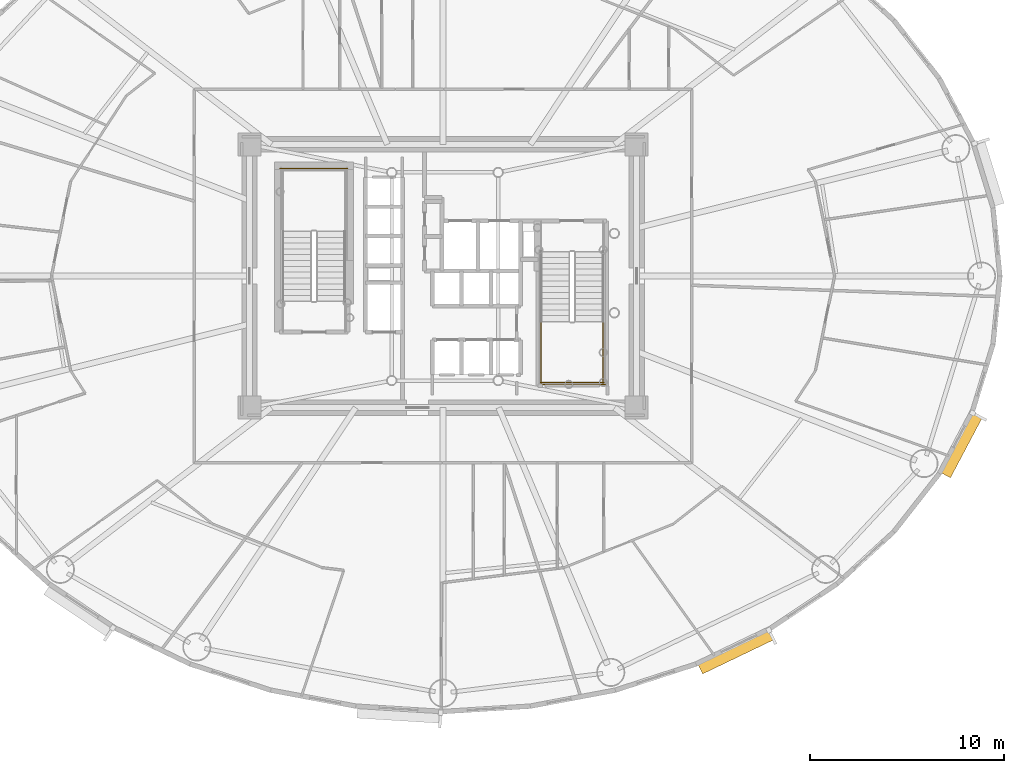
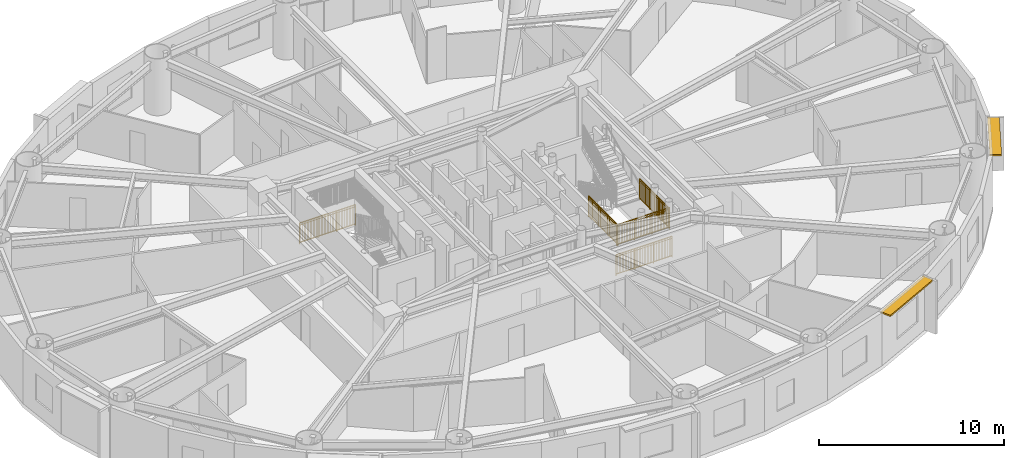
# One storey, part 14 of 16: 5 railings, 2 shading devices.
"""IFC4 building model written with IfcOpenShell, lengths in metres."""

from ifc_helpers import new_model, si_unit, direction, frame, origin, origin_2d, place, context, subcontext, project, spatial, rectangle, extrude, source, transform, mapped, material, layer, layer_set, type_object, element, save


model = new_model("IFC4")

# Units and contexts
model_context = context("Model", 3, precision=1e-05, world=origin(), true_north=direction((0.0, 1.0)))
body_context = subcontext(model_context, "Body", "Model", "MODEL_VIEW")
ifc_project = project(units=[si_unit("LENGTHUNIT", "METRE"), si_unit("AREAUNIT", "SQUARE_METRE"), si_unit("VOLUMEUNIT", "CUBIC_METRE"), si_unit("PLANEANGLEUNIT", "RADIAN"), si_unit("MASSUNIT", "GRAM", prefix="KILO")], contexts=[model_context])

# Site, building, storey
site_placement = place(None, origin())
site = spatial("IfcSite", under=ifc_project, at=site_placement, CompositionType="ELEMENT")
building_placement = place(site_placement, origin())
building = spatial("IfcBuilding", under=site, at=building_placement, Name="Linh Dai School and Residence Tower", CompositionType="ELEMENT")
storey_placement = place(building_placement, frame((0.0, 0.0, 108.449951171875)))
storey = spatial("IfcBuildingStorey", under=building, at=storey_placement, Name="L25", CompositionType="ELEMENT", Elevation=108.449951171875)

# Shading devices
ifc_material_1 = material(Name="Terracotta Ceramic Sunshade", Category="masonry")
ifc_layer = layer(ifc_material_1, 0.10009765625)
ifc_layer_set = layer_set([ifc_layer], Name="Terracotta Ceramic Sunshade")
shading_device_type = type_object("IfcShadingDeviceType", Name="SHD-TC-650", PredefinedType="USERDEFINED", material=ifc_layer_set)
shared_shape_1 = source(origin(), body_context, "Body", "SweptSolid", [
    extrude(rectangle(XDim=4.1005859375, YDim=0.64990234375, at=origin_2d()), origin(), (0.0, 0.0, 1.0), 0.10009765625),
])
shading_device_1_placement = place(storey_placement, frame((51.122802734375, 7.61962890625, 3.3798828125), z_axis=(0.0, 0.0, 1.0), x_axis=(-0.901577518371, -0.432617589064, 0.0)))
element("IfcShadingDevice", 1, at=shading_device_1_placement, inside=storey, type_object=shading_device_type, Name="L25 Terracotta Horizontal Sunshade Band 34", ObjectType="SUNSHADE", PredefinedType="USERDEFINED", context=body_context, shape_type="MappedRepresentation", body=[
    mapped(shared_shape_1, transform((0.0, 0.0, 0.0), x_axis=(1.0, 0.0, 0.0), y_axis=(0.0, 1.0, 0.0), z_axis=(0.0, 0.0, 1.0), scale=1.0)),
])
shared_shape_2 = source(origin(), body_context, "Body", "SweptSolid", [
    extrude(rectangle(XDim=3.541015625, YDim=0.64990234375, at=origin_2d()), origin(), (0.0, 0.0, 1.0), 0.10009765625),
])
shading_device_2_placement = place(storey_placement, frame((62.759521484375, 18.291259765625, 3.3798828125), z_axis=(0.0, 0.0, 1.0), x_axis=(-0.467596217252, -0.883942180016, 0.0)))
element("IfcShadingDevice", 2, at=shading_device_2_placement, inside=storey, type_object=shading_device_type, Name="L25 Terracotta Horizontal Sunshade Band 38", ObjectType="SUNSHADE", PredefinedType="USERDEFINED", context=body_context, shape_type="MappedRepresentation", body=[
    mapped(shared_shape_2, transform((0.0, 0.0, 0.0), x_axis=(1.0, 0.0, 0.0), y_axis=(0.0, 1.0, 0.0), z_axis=(0.0, 0.0, 1.0), scale=1.0)),
])

# Railings
ifc_material_2 = material(Name="Structural Steel S355JR", Category="steel")
railing_type = type_object("IfcRailingType", Name="RL-ST-GUARD-1400", PredefinedType="GUARDRAIL", material=ifc_material_2)
shared_shape_3 = source(origin(), body_context, "Body", "SweptSolid", [
    extrude(rectangle(XDim=0.048095703125, YDim=0.048095703125, at=origin_2d()), frame((0.0, 0.0, 1.3759765625), z_axis=(-1.0, 0.0, 0.0), x_axis=(0.0, -1.0, 0.0)), (0.0, 0.0, 1.0), 3.5),
    extrude(rectangle(XDim=0.048095703125, YDim=0.048095703125, at=origin_2d()), frame((0.0, 0.0, 0.10009765625), z_axis=(-1.0, 0.0, 0.0), x_axis=(0.0, -1.0, 0.0)), (0.0, 0.0, 1.0), 3.5),
    extrude(rectangle(XDim=0.030029296875, YDim=0.030029296875, at=origin_2d()), frame((0.0, 0.0, 1.239990234375), z_axis=(-1.0, 0.0, 0.0), x_axis=(0.0, -1.0, 0.0)), (0.0, 0.0, 1.0), 3.5),
    extrude(rectangle(XDim=0.02001953125, YDim=0.02001953125, at=origin_2d()), frame((-0.09716796875, 0.0, 0.10009765625)), (0.0, 0.0, 1.0), 1.251708984375),
    extrude(rectangle(XDim=0.02001953125, YDim=0.02001953125, at=origin_2d()), frame((-0.1943359375, 0.0, 0.10009765625)), (0.0, 0.0, 1.0), 1.251708984375),
    extrude(rectangle(XDim=0.02001953125, YDim=0.02001953125, at=origin_2d()), frame((-0.291748046875, 0.0, 0.10009765625)), (0.0, 0.0, 1.0), 1.251708984375),
    extrude(rectangle(XDim=0.02001953125, YDim=0.02001953125, at=origin_2d()), frame((-0.388916015625, 0.0, 0.10009765625)), (0.0, 0.0, 1.0), 1.251708984375),
    extrude(rectangle(XDim=0.02001953125, YDim=0.02001953125, at=origin_2d()), frame((-0.486083984375, 0.0, 0.10009765625)), (0.0, 0.0, 1.0), 1.251708984375),
    extrude(rectangle(XDim=0.02001953125, YDim=0.02001953125, at=origin_2d()), frame((-0.583251953125, 0.0, 0.10009765625)), (0.0, 0.0, 1.0), 1.251708984375),
    extrude(rectangle(XDim=0.02001953125, YDim=0.02001953125, at=origin_2d()), frame((-0.6806640625, 0.0, 0.10009765625)), (0.0, 0.0, 1.0), 1.251708984375),
    extrude(rectangle(XDim=0.02001953125, YDim=0.02001953125, at=origin_2d()), frame((-0.77783203125, 0.0, 0.10009765625)), (0.0, 0.0, 1.0), 1.251708984375),
    extrude(rectangle(XDim=0.02001953125, YDim=0.02001953125, at=origin_2d()), frame((-0.875, 0.0, 0.10009765625)), (0.0, 0.0, 1.0), 1.251708984375),
    extrude(rectangle(XDim=0.02001953125, YDim=0.02001953125, at=origin_2d()), frame((-0.97216796875, 0.0, 0.10009765625)), (0.0, 0.0, 1.0), 1.251708984375),
    extrude(rectangle(XDim=0.02001953125, YDim=0.02001953125, at=origin_2d()), frame((-1.0693359375, 0.0, 0.10009765625)), (0.0, 0.0, 1.0), 1.251708984375),
    extrude(rectangle(XDim=0.02001953125, YDim=0.02001953125, at=origin_2d()), frame((-1.263916015625, 0.0, 0.10009765625)), (0.0, 0.0, 1.0), 1.251708984375),
    extrude(rectangle(XDim=0.02001953125, YDim=0.02001953125, at=origin_2d()), frame((-1.361083984375, 0.0, 0.10009765625)), (0.0, 0.0, 1.0), 1.251708984375),
    extrude(rectangle(XDim=0.02001953125, YDim=0.02001953125, at=origin_2d()), frame((-1.458251953125, 0.0, 0.10009765625)), (0.0, 0.0, 1.0), 1.251708984375),
    extrude(rectangle(XDim=0.02001953125, YDim=0.02001953125, at=origin_2d()), frame((-1.5556640625, 0.0, 0.10009765625)), (0.0, 0.0, 1.0), 1.251708984375),
    extrude(rectangle(XDim=0.02001953125, YDim=0.02001953125, at=origin_2d()), frame((-1.65283203125, 0.0, 0.10009765625)), (0.0, 0.0, 1.0), 1.251708984375),
    extrude(rectangle(XDim=0.02001953125, YDim=0.02001953125, at=origin_2d()), frame((-1.75, 0.0, 0.10009765625)), (0.0, 0.0, 1.0), 1.251708984375),
    extrude(rectangle(XDim=0.02001953125, YDim=0.02001953125, at=origin_2d()), frame((-1.84716796875, 0.0, 0.10009765625)), (0.0, 0.0, 1.0), 1.251708984375),
    extrude(rectangle(XDim=0.02001953125, YDim=0.02001953125, at=origin_2d()), frame((-1.9443359375, 0.0, 0.10009765625)), (0.0, 0.0, 1.0), 1.251708984375),
    extrude(rectangle(XDim=0.02001953125, YDim=0.02001953125, at=origin_2d()), frame((-2.041748046875, 0.0, 0.10009765625)), (0.0, 0.0, 1.0), 1.251708984375),
    extrude(rectangle(XDim=0.02001953125, YDim=0.02001953125, at=origin_2d()), frame((-2.138916015625, 0.0, 0.10009765625)), (0.0, 0.0, 1.0), 1.251708984375),
    extrude(rectangle(XDim=0.02001953125, YDim=0.02001953125, at=origin_2d()), frame((-2.236083984375, 0.0, 0.10009765625)), (0.0, 0.0, 1.0), 1.251708984375),
    extrude(rectangle(XDim=0.02001953125, YDim=0.02001953125, at=origin_2d()), frame((-2.4306640625, 0.0, 0.10009765625)), (0.0, 0.0, 1.0), 1.251708984375),
    extrude(rectangle(XDim=0.02001953125, YDim=0.02001953125, at=origin_2d()), frame((-2.52783203125, 0.0, 0.10009765625)), (0.0, 0.0, 1.0), 1.251708984375),
    extrude(rectangle(XDim=0.02001953125, YDim=0.02001953125, at=origin_2d()), frame((-2.625, 0.0, 0.10009765625)), (0.0, 0.0, 1.0), 1.251708984375),
    extrude(rectangle(XDim=0.02001953125, YDim=0.02001953125, at=origin_2d()), frame((-2.72216796875, 0.0, 0.10009765625)), (0.0, 0.0, 1.0), 1.251708984375),
    extrude(rectangle(XDim=0.02001953125, YDim=0.02001953125, at=origin_2d()), frame((-2.8193359375, 0.0, 0.10009765625)), (0.0, 0.0, 1.0), 1.251708984375),
    extrude(rectangle(XDim=0.02001953125, YDim=0.02001953125, at=origin_2d()), frame((-2.916748046875, 0.0, 0.10009765625)), (0.0, 0.0, 1.0), 1.251708984375),
    extrude(rectangle(XDim=0.02001953125, YDim=0.02001953125, at=origin_2d()), frame((-3.013916015625, 0.0, 0.10009765625)), (0.0, 0.0, 1.0), 1.251708984375),
    extrude(rectangle(XDim=0.02001953125, YDim=0.02001953125, at=origin_2d()), frame((-3.111083984375, 0.0, 0.10009765625)), (0.0, 0.0, 1.0), 1.251708984375),
    extrude(rectangle(XDim=0.02001953125, YDim=0.02001953125, at=origin_2d()), frame((-3.208251953125, 0.0, 0.10009765625)), (0.0, 0.0, 1.0), 1.251708984375),
    extrude(rectangle(XDim=0.02001953125, YDim=0.02001953125, at=origin_2d()), frame((-3.3056640625, 0.0, 0.10009765625)), (0.0, 0.0, 1.0), 1.251708984375),
    extrude(rectangle(XDim=0.02001953125, YDim=0.02001953125, at=origin_2d()), frame((-3.40283203125, 0.0, 0.10009765625)), (0.0, 0.0, 1.0), 1.251708984375),
    extrude(rectangle(XDim=0.0419921875, YDim=0.0419921875, at=origin_2d()), origin(), (0.0, 0.0, 1.0), 1.3759765625),
    extrude(rectangle(XDim=0.0419921875, YDim=0.0419921875, at=origin_2d()), frame((-1.166748046875, 0.0, 0.0)), (0.0, 0.0, 1.0), 1.3759765625),
    extrude(rectangle(XDim=0.0419921875, YDim=0.0419921875, at=origin_2d()), frame((-2.333251953125, 0.0, 0.0)), (0.0, 0.0, 1.0), 1.3759765625),
    extrude(rectangle(XDim=0.0419921875, YDim=0.0419921875, at=origin_2d()), frame((-3.5, 0.0, 0.0)), (0.0, 0.0, 1.0), 1.3759765625),
])
railing_1_placement = place(storey_placement, frame((31.080078125, 32.550048828125, 0.0)))
element("IfcRailing", 3, at=railing_1_placement, inside=storey, type_object=railing_type, Name="L25 ST1 stair guard 12", PredefinedType="GUARDRAIL", context=body_context, shape_type="MappedRepresentation", body=[
    mapped(shared_shape_3, transform((0.0, 0.0, 0.0), x_axis=(1.0, 0.0, 0.0), y_axis=(0.0, 1.0, 0.0), z_axis=(0.0, 0.0, 1.0), scale=1.0)),
])
shared_shape_4 = source(origin(), body_context, "Body", "SweptSolid", [
    extrude(rectangle(XDim=0.048095703125, YDim=0.048095703125, at=origin_2d()), frame((0.0, 0.0, 1.3759765625), z_axis=(1.0, 0.0, 0.0), x_axis=(0.0, 1.0, 0.0)), (0.0, 0.0, 1.0), 3.300048828125),
    extrude(rectangle(XDim=0.048095703125, YDim=0.048095703125, at=origin_2d()), frame((0.0, 0.0, 0.10009765625), z_axis=(1.0, 0.0, 0.0), x_axis=(0.0, 1.0, 0.0)), (0.0, 0.0, 1.0), 3.300048828125),
    extrude(rectangle(XDim=0.030029296875, YDim=0.030029296875, at=origin_2d()), frame((0.0, 0.0, 1.239990234375), z_axis=(1.0, 0.0, 0.0), x_axis=(0.0, 1.0, 0.0)), (0.0, 0.0, 1.0), 3.300048828125),
    extrude(rectangle(XDim=0.02001953125, YDim=0.02001953125, at=origin_2d()), frame((0.09716796875, 0.0, 0.10009765625)), (0.0, 0.0, 1.0), 1.251708984375),
    extrude(rectangle(XDim=0.02001953125, YDim=0.02001953125, at=origin_2d()), frame((0.194091796875, 0.0, 0.10009765625)), (0.0, 0.0, 1.0), 1.251708984375),
    extrude(rectangle(XDim=0.02001953125, YDim=0.02001953125, at=origin_2d()), frame((0.291259765625, 0.0, 0.10009765625)), (0.0, 0.0, 1.0), 1.251708984375),
    extrude(rectangle(XDim=0.02001953125, YDim=0.02001953125, at=origin_2d()), frame((0.38818359375, 0.0, 0.10009765625)), (0.0, 0.0, 1.0), 1.251708984375),
    extrude(rectangle(XDim=0.02001953125, YDim=0.02001953125, at=origin_2d()), frame((0.4853515625, 0.0, 0.10009765625)), (0.0, 0.0, 1.0), 1.251708984375),
    extrude(rectangle(XDim=0.02001953125, YDim=0.02001953125, at=origin_2d()), frame((0.582275390625, 0.0, 0.10009765625)), (0.0, 0.0, 1.0), 1.251708984375),
    extrude(rectangle(XDim=0.02001953125, YDim=0.02001953125, at=origin_2d()), frame((0.679443359375, 0.0, 0.10009765625)), (0.0, 0.0, 1.0), 1.251708984375),
    extrude(rectangle(XDim=0.02001953125, YDim=0.02001953125, at=origin_2d()), frame((0.7763671875, 0.0, 0.10009765625)), (0.0, 0.0, 1.0), 1.251708984375),
    extrude(rectangle(XDim=0.02001953125, YDim=0.02001953125, at=origin_2d()), frame((0.87353515625, 0.0, 0.10009765625)), (0.0, 0.0, 1.0), 1.251708984375),
    extrude(rectangle(XDim=0.02001953125, YDim=0.02001953125, at=origin_2d()), frame((0.970703125, 0.0, 0.10009765625)), (0.0, 0.0, 1.0), 1.251708984375),
    extrude(rectangle(XDim=0.02001953125, YDim=0.02001953125, at=origin_2d()), frame((1.164794921875, 0.0, 0.10009765625)), (0.0, 0.0, 1.0), 1.251708984375),
    extrude(rectangle(XDim=0.02001953125, YDim=0.02001953125, at=origin_2d()), frame((1.26171875, 0.0, 0.10009765625)), (0.0, 0.0, 1.0), 1.251708984375),
    extrude(rectangle(XDim=0.02001953125, YDim=0.02001953125, at=origin_2d()), frame((1.35888671875, 0.0, 0.10009765625)), (0.0, 0.0, 1.0), 1.251708984375),
    extrude(rectangle(XDim=0.02001953125, YDim=0.02001953125, at=origin_2d()), frame((1.455810546875, 0.0, 0.10009765625)), (0.0, 0.0, 1.0), 1.251708984375),
    extrude(rectangle(XDim=0.02001953125, YDim=0.02001953125, at=origin_2d()), frame((1.552978515625, 0.0, 0.10009765625)), (0.0, 0.0, 1.0), 1.251708984375),
    extrude(rectangle(XDim=0.02001953125, YDim=0.02001953125, at=origin_2d()), frame((1.64990234375, 0.0, 0.10009765625)), (0.0, 0.0, 1.0), 1.251708984375),
    extrude(rectangle(XDim=0.02001953125, YDim=0.02001953125, at=origin_2d()), frame((1.7470703125, 0.0, 0.10009765625)), (0.0, 0.0, 1.0), 1.251708984375),
    extrude(rectangle(XDim=0.02001953125, YDim=0.02001953125, at=origin_2d()), frame((1.84423828125, 0.0, 0.10009765625)), (0.0, 0.0, 1.0), 1.251708984375),
    extrude(rectangle(XDim=0.02001953125, YDim=0.02001953125, at=origin_2d()), frame((1.941162109375, 0.0, 0.10009765625)), (0.0, 0.0, 1.0), 1.251708984375),
    extrude(rectangle(XDim=0.02001953125, YDim=0.02001953125, at=origin_2d()), frame((2.038330078125, 0.0, 0.10009765625)), (0.0, 0.0, 1.0), 1.251708984375),
    extrude(rectangle(XDim=0.02001953125, YDim=0.02001953125, at=origin_2d()), frame((2.13525390625, 0.0, 0.10009765625)), (0.0, 0.0, 1.0), 1.251708984375),
    extrude(rectangle(XDim=0.02001953125, YDim=0.02001953125, at=origin_2d()), frame((2.329345703125, 0.0, 0.10009765625)), (0.0, 0.0, 1.0), 1.251708984375),
    extrude(rectangle(XDim=0.02001953125, YDim=0.02001953125, at=origin_2d()), frame((2.426513671875, 0.0, 0.10009765625)), (0.0, 0.0, 1.0), 1.251708984375),
    extrude(rectangle(XDim=0.02001953125, YDim=0.02001953125, at=origin_2d()), frame((2.523681640625, 0.0, 0.10009765625)), (0.0, 0.0, 1.0), 1.251708984375),
    extrude(rectangle(XDim=0.02001953125, YDim=0.02001953125, at=origin_2d()), frame((2.62060546875, 0.0, 0.10009765625)), (0.0, 0.0, 1.0), 1.251708984375),
    extrude(rectangle(XDim=0.02001953125, YDim=0.02001953125, at=origin_2d()), frame((2.7177734375, 0.0, 0.10009765625)), (0.0, 0.0, 1.0), 1.251708984375),
    extrude(rectangle(XDim=0.02001953125, YDim=0.02001953125, at=origin_2d()), frame((2.814697265625, 0.0, 0.10009765625)), (0.0, 0.0, 1.0), 1.251708984375),
    extrude(rectangle(XDim=0.02001953125, YDim=0.02001953125, at=origin_2d()), frame((2.911865234375, 0.0, 0.10009765625)), (0.0, 0.0, 1.0), 1.251708984375),
    extrude(rectangle(XDim=0.02001953125, YDim=0.02001953125, at=origin_2d()), frame((3.0087890625, 0.0, 0.10009765625)), (0.0, 0.0, 1.0), 1.251708984375),
    extrude(rectangle(XDim=0.02001953125, YDim=0.02001953125, at=origin_2d()), frame((3.10595703125, 0.0, 0.10009765625)), (0.0, 0.0, 1.0), 1.251708984375),
    extrude(rectangle(XDim=0.02001953125, YDim=0.02001953125, at=origin_2d()), frame((3.202880859375, 0.0, 0.10009765625)), (0.0, 0.0, 1.0), 1.251708984375),
    extrude(rectangle(XDim=0.0419921875, YDim=0.0419921875, at=origin_2d()), origin(), (0.0, 0.0, 1.0), 1.3759765625),
    extrude(rectangle(XDim=0.0419921875, YDim=0.0419921875, at=origin_2d()), frame((1.10009765625, 0.0, 0.0)), (0.0, 0.0, 1.0), 1.3759765625),
    extrude(rectangle(XDim=0.0419921875, YDim=0.0419921875, at=origin_2d()), frame((2.199951171875, 0.0, 0.0)), (0.0, 0.0, 1.0), 1.3759765625),
    extrude(rectangle(XDim=0.0419921875, YDim=0.0419921875, at=origin_2d()), frame((3.300048828125, 0.0, 0.0)), (0.0, 0.0, 1.0), 1.3759765625),
])
railing_2_placement = place(storey_placement, frame((41.02001953125, 21.5, 1.875)))
element("IfcRailing", 4, at=railing_2_placement, inside=storey, type_object=railing_type, Name="L25 ST2 stair guard 5", PredefinedType="GUARDRAIL", context=body_context, shape_type="MappedRepresentation", body=[
    mapped(shared_shape_4, transform((0.0, 0.0, 0.0), x_axis=(1.0, 0.0, 0.0), y_axis=(0.0, 1.0, 0.0), z_axis=(0.0, 0.0, 1.0), scale=1.0)),
])
shared_shape_5 = source(origin(), body_context, "Body", "SweptSolid", [
    extrude(rectangle(XDim=0.048095703125, YDim=0.048095703125, at=origin_2d()), frame((0.0, 0.0, 1.3759765625), z_axis=(1.0, 0.0, 0.0), x_axis=(0.0, 1.0, 0.0)), (0.0, 0.0, 1.0), 3.5),
    extrude(rectangle(XDim=0.048095703125, YDim=0.048095703125, at=origin_2d()), frame((0.0, 0.0, 0.10009765625), z_axis=(1.0, 0.0, 0.0), x_axis=(0.0, 1.0, 0.0)), (0.0, 0.0, 1.0), 3.5),
    extrude(rectangle(XDim=0.030029296875, YDim=0.030029296875, at=origin_2d()), frame((0.0, 0.0, 1.239990234375), z_axis=(1.0, 0.0, 0.0), x_axis=(0.0, 1.0, 0.0)), (0.0, 0.0, 1.0), 3.5),
    extrude(rectangle(XDim=0.02001953125, YDim=0.02001953125, at=origin_2d()), frame((0.09716796875, 0.0, 0.10009765625)), (0.0, 0.0, 1.0), 1.251708984375),
    extrude(rectangle(XDim=0.02001953125, YDim=0.02001953125, at=origin_2d()), frame((0.1943359375, 0.0, 0.10009765625)), (0.0, 0.0, 1.0), 1.251708984375),
    extrude(rectangle(XDim=0.02001953125, YDim=0.02001953125, at=origin_2d()), frame((0.291748046875, 0.0, 0.10009765625)), (0.0, 0.0, 1.0), 1.251708984375),
    extrude(rectangle(XDim=0.02001953125, YDim=0.02001953125, at=origin_2d()), frame((0.388916015625, 0.0, 0.10009765625)), (0.0, 0.0, 1.0), 1.251708984375),
    extrude(rectangle(XDim=0.02001953125, YDim=0.02001953125, at=origin_2d()), frame((0.486083984375, 0.0, 0.10009765625)), (0.0, 0.0, 1.0), 1.251708984375),
    extrude(rectangle(XDim=0.02001953125, YDim=0.02001953125, at=origin_2d()), frame((0.583251953125, 0.0, 0.10009765625)), (0.0, 0.0, 1.0), 1.251708984375),
    extrude(rectangle(XDim=0.02001953125, YDim=0.02001953125, at=origin_2d()), frame((0.6806640625, 0.0, 0.10009765625)), (0.0, 0.0, 1.0), 1.251708984375),
    extrude(rectangle(XDim=0.02001953125, YDim=0.02001953125, at=origin_2d()), frame((0.77783203125, 0.0, 0.10009765625)), (0.0, 0.0, 1.0), 1.251708984375),
    extrude(rectangle(XDim=0.02001953125, YDim=0.02001953125, at=origin_2d()), frame((0.875, 0.0, 0.10009765625)), (0.0, 0.0, 1.0), 1.251708984375),
    extrude(rectangle(XDim=0.02001953125, YDim=0.02001953125, at=origin_2d()), frame((0.97216796875, 0.0, 0.10009765625)), (0.0, 0.0, 1.0), 1.251708984375),
    extrude(rectangle(XDim=0.02001953125, YDim=0.02001953125, at=origin_2d()), frame((1.0693359375, 0.0, 0.10009765625)), (0.0, 0.0, 1.0), 1.251708984375),
    extrude(rectangle(XDim=0.02001953125, YDim=0.02001953125, at=origin_2d()), frame((1.263916015625, 0.0, 0.10009765625)), (0.0, 0.0, 1.0), 1.251708984375),
    extrude(rectangle(XDim=0.02001953125, YDim=0.02001953125, at=origin_2d()), frame((1.361083984375, 0.0, 0.10009765625)), (0.0, 0.0, 1.0), 1.251708984375),
    extrude(rectangle(XDim=0.02001953125, YDim=0.02001953125, at=origin_2d()), frame((1.458251953125, 0.0, 0.10009765625)), (0.0, 0.0, 1.0), 1.251708984375),
    extrude(rectangle(XDim=0.02001953125, YDim=0.02001953125, at=origin_2d()), frame((1.5556640625, 0.0, 0.10009765625)), (0.0, 0.0, 1.0), 1.251708984375),
    extrude(rectangle(XDim=0.02001953125, YDim=0.02001953125, at=origin_2d()), frame((1.65283203125, 0.0, 0.10009765625)), (0.0, 0.0, 1.0), 1.251708984375),
    extrude(rectangle(XDim=0.02001953125, YDim=0.02001953125, at=origin_2d()), frame((1.75, 0.0, 0.10009765625)), (0.0, 0.0, 1.0), 1.251708984375),
    extrude(rectangle(XDim=0.02001953125, YDim=0.02001953125, at=origin_2d()), frame((1.84716796875, 0.0, 0.10009765625)), (0.0, 0.0, 1.0), 1.251708984375),
    extrude(rectangle(XDim=0.02001953125, YDim=0.02001953125, at=origin_2d()), frame((1.9443359375, 0.0, 0.10009765625)), (0.0, 0.0, 1.0), 1.251708984375),
    extrude(rectangle(XDim=0.02001953125, YDim=0.02001953125, at=origin_2d()), frame((2.041748046875, 0.0, 0.10009765625)), (0.0, 0.0, 1.0), 1.251708984375),
    extrude(rectangle(XDim=0.02001953125, YDim=0.02001953125, at=origin_2d()), frame((2.138916015625, 0.0, 0.10009765625)), (0.0, 0.0, 1.0), 1.251708984375),
    extrude(rectangle(XDim=0.02001953125, YDim=0.02001953125, at=origin_2d()), frame((2.236083984375, 0.0, 0.10009765625)), (0.0, 0.0, 1.0), 1.251708984375),
    extrude(rectangle(XDim=0.02001953125, YDim=0.02001953125, at=origin_2d()), frame((2.4306640625, 0.0, 0.10009765625)), (0.0, 0.0, 1.0), 1.251708984375),
    extrude(rectangle(XDim=0.02001953125, YDim=0.02001953125, at=origin_2d()), frame((2.52783203125, 0.0, 0.10009765625)), (0.0, 0.0, 1.0), 1.251708984375),
    extrude(rectangle(XDim=0.02001953125, YDim=0.02001953125, at=origin_2d()), frame((2.625, 0.0, 0.10009765625)), (0.0, 0.0, 1.0), 1.251708984375),
    extrude(rectangle(XDim=0.02001953125, YDim=0.02001953125, at=origin_2d()), frame((2.72216796875, 0.0, 0.10009765625)), (0.0, 0.0, 1.0), 1.251708984375),
    extrude(rectangle(XDim=0.02001953125, YDim=0.02001953125, at=origin_2d()), frame((2.8193359375, 0.0, 0.10009765625)), (0.0, 0.0, 1.0), 1.251708984375),
    extrude(rectangle(XDim=0.02001953125, YDim=0.02001953125, at=origin_2d()), frame((2.916748046875, 0.0, 0.10009765625)), (0.0, 0.0, 1.0), 1.251708984375),
    extrude(rectangle(XDim=0.02001953125, YDim=0.02001953125, at=origin_2d()), frame((3.013916015625, 0.0, 0.10009765625)), (0.0, 0.0, 1.0), 1.251708984375),
    extrude(rectangle(XDim=0.02001953125, YDim=0.02001953125, at=origin_2d()), frame((3.111083984375, 0.0, 0.10009765625)), (0.0, 0.0, 1.0), 1.251708984375),
    extrude(rectangle(XDim=0.02001953125, YDim=0.02001953125, at=origin_2d()), frame((3.208251953125, 0.0, 0.10009765625)), (0.0, 0.0, 1.0), 1.251708984375),
    extrude(rectangle(XDim=0.02001953125, YDim=0.02001953125, at=origin_2d()), frame((3.3056640625, 0.0, 0.10009765625)), (0.0, 0.0, 1.0), 1.251708984375),
    extrude(rectangle(XDim=0.02001953125, YDim=0.02001953125, at=origin_2d()), frame((3.40283203125, 0.0, 0.10009765625)), (0.0, 0.0, 1.0), 1.251708984375),
    extrude(rectangle(XDim=0.0419921875, YDim=0.0419921875, at=origin_2d()), origin(), (0.0, 0.0, 1.0), 1.3759765625),
    extrude(rectangle(XDim=0.0419921875, YDim=0.0419921875, at=origin_2d()), frame((1.166748046875, 0.0, 0.0)), (0.0, 0.0, 1.0), 1.3759765625),
    extrude(rectangle(XDim=0.0419921875, YDim=0.0419921875, at=origin_2d()), frame((2.333251953125, 0.0, 0.0)), (0.0, 0.0, 1.0), 1.3759765625),
    extrude(rectangle(XDim=0.0419921875, YDim=0.0419921875, at=origin_2d()), frame((3.5, 0.0, 0.0)), (0.0, 0.0, 1.0), 1.3759765625),
])
railing_3_placement = place(storey_placement, frame((40.919921875, 21.39990234375, 0.0)))
element("IfcRailing", 5, at=railing_3_placement, inside=storey, type_object=railing_type, Name="L25 ST2 stair guard 12", PredefinedType="GUARDRAIL", context=body_context, shape_type="MappedRepresentation", body=[
    mapped(shared_shape_5, transform((0.0, 0.0, 0.0), x_axis=(1.0, 0.0, 0.0), y_axis=(0.0, 1.0, 0.0), z_axis=(0.0, 0.0, 1.0), scale=1.0)),
])
shared_shape_6 = source(origin(), body_context, "Body", "SweptSolid", [
    extrude(rectangle(XDim=0.048095703125, YDim=0.048095703125, at=origin_2d()), frame((0.0, 0.0, 1.3759765625), z_axis=(0.0, -1.0, 0.0), x_axis=(1.0, 0.0, 0.0)), (0.0, 0.0, 1.0), 3.199951171875),
    extrude(rectangle(XDim=0.048095703125, YDim=0.048095703125, at=origin_2d()), frame((0.0, 0.0, 0.10009765625), z_axis=(0.0, -1.0, 0.0), x_axis=(1.0, 0.0, 0.0)), (0.0, 0.0, 1.0), 3.199951171875),
    extrude(rectangle(XDim=0.030029296875, YDim=0.030029296875, at=origin_2d()), frame((0.0, 0.0, 1.239990234375), z_axis=(0.0, -1.0, 0.0), x_axis=(1.0, 0.0, 0.0)), (0.0, 0.0, 1.0), 3.199951171875),
    extrude(rectangle(XDim=0.02001953125, YDim=0.02001953125, at=origin_2d()), frame((0.0, -0.096923828125, 0.10009765625)), (0.0, 0.0, 1.0), 1.251708984375),
    extrude(rectangle(XDim=0.02001953125, YDim=0.02001953125, at=origin_2d()), frame((0.0, -0.19384765625, 0.10009765625)), (0.0, 0.0, 1.0), 1.251708984375),
    extrude(rectangle(XDim=0.02001953125, YDim=0.02001953125, at=origin_2d()), frame((0.0, -0.291015625, 0.10009765625)), (0.0, 0.0, 1.0), 1.251708984375),
    extrude(rectangle(XDim=0.02001953125, YDim=0.02001953125, at=origin_2d()), frame((0.0, -0.387939453125, 0.10009765625)), (0.0, 0.0, 1.0), 1.251708984375),
    extrude(rectangle(XDim=0.02001953125, YDim=0.02001953125, at=origin_2d()), frame((0.0, -0.48486328125, 0.10009765625)), (0.0, 0.0, 1.0), 1.251708984375),
    extrude(rectangle(XDim=0.02001953125, YDim=0.02001953125, at=origin_2d()), frame((0.0, -0.581787109375, 0.10009765625)), (0.0, 0.0, 1.0), 1.251708984375),
    extrude(rectangle(XDim=0.02001953125, YDim=0.02001953125, at=origin_2d()), frame((0.0, -0.6787109375, 0.10009765625)), (0.0, 0.0, 1.0), 1.251708984375),
    extrude(rectangle(XDim=0.02001953125, YDim=0.02001953125, at=origin_2d()), frame((0.0, -0.775634765625, 0.10009765625)), (0.0, 0.0, 1.0), 1.251708984375),
    extrude(rectangle(XDim=0.02001953125, YDim=0.02001953125, at=origin_2d()), frame((0.0, -0.872802734375, 0.10009765625)), (0.0, 0.0, 1.0), 1.251708984375),
    extrude(rectangle(XDim=0.02001953125, YDim=0.02001953125, at=origin_2d()), frame((0.0, -0.9697265625, 0.10009765625)), (0.0, 0.0, 1.0), 1.251708984375),
    extrude(rectangle(XDim=0.02001953125, YDim=0.02001953125, at=origin_2d()), frame((0.0, -1.16357421875, 0.10009765625)), (0.0, 0.0, 1.0), 1.251708984375),
    extrude(rectangle(XDim=0.02001953125, YDim=0.02001953125, at=origin_2d()), frame((0.0, -1.260498046875, 0.10009765625)), (0.0, 0.0, 1.0), 1.251708984375),
    extrude(rectangle(XDim=0.02001953125, YDim=0.02001953125, at=origin_2d()), frame((0.0, -1.357666015625, 0.10009765625)), (0.0, 0.0, 1.0), 1.251708984375),
    extrude(rectangle(XDim=0.02001953125, YDim=0.02001953125, at=origin_2d()), frame((0.0, -1.45458984375, 0.10009765625)), (0.0, 0.0, 1.0), 1.251708984375),
    extrude(rectangle(XDim=0.02001953125, YDim=0.02001953125, at=origin_2d()), frame((0.0, -1.551513671875, 0.10009765625)), (0.0, 0.0, 1.0), 1.251708984375),
    extrude(rectangle(XDim=0.02001953125, YDim=0.02001953125, at=origin_2d()), frame((0.0, -1.6484375, 0.10009765625)), (0.0, 0.0, 1.0), 1.251708984375),
    extrude(rectangle(XDim=0.02001953125, YDim=0.02001953125, at=origin_2d()), frame((0.0, -1.745361328125, 0.10009765625)), (0.0, 0.0, 1.0), 1.251708984375),
    extrude(rectangle(XDim=0.02001953125, YDim=0.02001953125, at=origin_2d()), frame((0.0, -1.84228515625, 0.10009765625)), (0.0, 0.0, 1.0), 1.251708984375),
    extrude(rectangle(XDim=0.02001953125, YDim=0.02001953125, at=origin_2d()), frame((0.0, -1.939453125, 0.10009765625)), (0.0, 0.0, 1.0), 1.251708984375),
    extrude(rectangle(XDim=0.02001953125, YDim=0.02001953125, at=origin_2d()), frame((0.0, -2.036376953125, 0.10009765625)), (0.0, 0.0, 1.0), 1.251708984375),
    extrude(rectangle(XDim=0.02001953125, YDim=0.02001953125, at=origin_2d()), frame((0.0, -2.230224609375, 0.10009765625)), (0.0, 0.0, 1.0), 1.251708984375),
    extrude(rectangle(XDim=0.02001953125, YDim=0.02001953125, at=origin_2d()), frame((0.0, -2.3271484375, 0.10009765625)), (0.0, 0.0, 1.0), 1.251708984375),
    extrude(rectangle(XDim=0.02001953125, YDim=0.02001953125, at=origin_2d()), frame((0.0, -2.42431640625, 0.10009765625)), (0.0, 0.0, 1.0), 1.251708984375),
    extrude(rectangle(XDim=0.02001953125, YDim=0.02001953125, at=origin_2d()), frame((0.0, -2.521240234375, 0.10009765625)), (0.0, 0.0, 1.0), 1.251708984375),
    extrude(rectangle(XDim=0.02001953125, YDim=0.02001953125, at=origin_2d()), frame((0.0, -2.6181640625, 0.10009765625)), (0.0, 0.0, 1.0), 1.251708984375),
    extrude(rectangle(XDim=0.02001953125, YDim=0.02001953125, at=origin_2d()), frame((0.0, -2.715087890625, 0.10009765625)), (0.0, 0.0, 1.0), 1.251708984375),
    extrude(rectangle(XDim=0.02001953125, YDim=0.02001953125, at=origin_2d()), frame((0.0, -2.81201171875, 0.10009765625)), (0.0, 0.0, 1.0), 1.251708984375),
    extrude(rectangle(XDim=0.02001953125, YDim=0.02001953125, at=origin_2d()), frame((0.0, -2.908935546875, 0.10009765625)), (0.0, 0.0, 1.0), 1.251708984375),
    extrude(rectangle(XDim=0.02001953125, YDim=0.02001953125, at=origin_2d()), frame((0.0, -3.006103515625, 0.10009765625)), (0.0, 0.0, 1.0), 1.251708984375),
    extrude(rectangle(XDim=0.02001953125, YDim=0.02001953125, at=origin_2d()), frame((0.0, -3.10302734375, 0.10009765625)), (0.0, 0.0, 1.0), 1.251708984375),
    extrude(rectangle(XDim=0.0419921875, YDim=0.0419921875, at=origin_2d()), origin(), (0.0, 0.0, 1.0), 1.3759765625),
    extrude(rectangle(XDim=0.0419921875, YDim=0.0419921875, at=origin_2d()), frame((0.0, -1.066650390625, 0.0)), (0.0, 0.0, 1.0), 1.3759765625),
    extrude(rectangle(XDim=0.0419921875, YDim=0.0419921875, at=origin_2d()), frame((0.0, -2.13330078125, 0.0)), (0.0, 0.0, 1.0), 1.3759765625),
    extrude(rectangle(XDim=0.0419921875, YDim=0.0419921875, at=origin_2d()), frame((0.0, -3.199951171875, 0.0)), (0.0, 0.0, 1.0), 1.3759765625),
])
for number, where, name in (
    (6, (41.070068359375, 24.64990234375, 1.875), "L25 ST2 stair guard 3"),
    (7, (44.27001953125, 24.64990234375, 1.875), "L25 ST2 stair guard 4"),
):
    element("IfcRailing", number, at=place(storey_placement, frame(where)), inside=storey, type_object=railing_type, Name=name, PredefinedType="GUARDRAIL", context=body_context, shape_type="MappedRepresentation", body=[
        mapped(shared_shape_6, transform((0.0, 0.0, 0.0), x_axis=(1.0, 0.0, 0.0), y_axis=(0.0, 1.0, 0.0), z_axis=(0.0, 0.0, 1.0), scale=1.0)),
    ])

save(model, "model.ifc")
